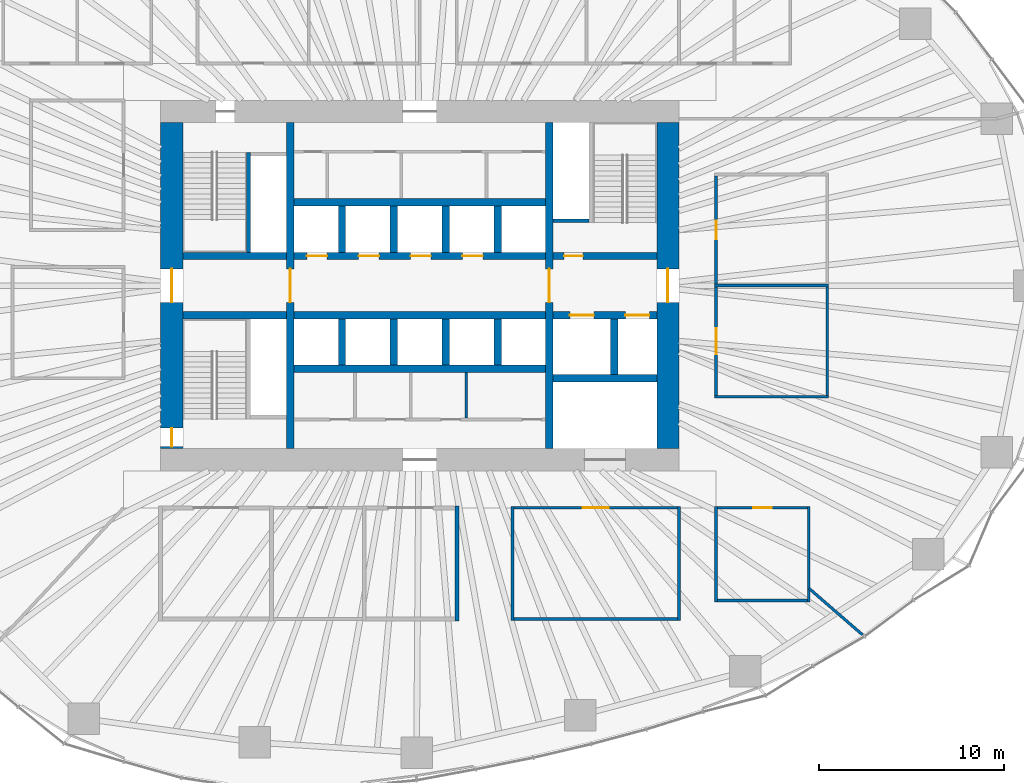
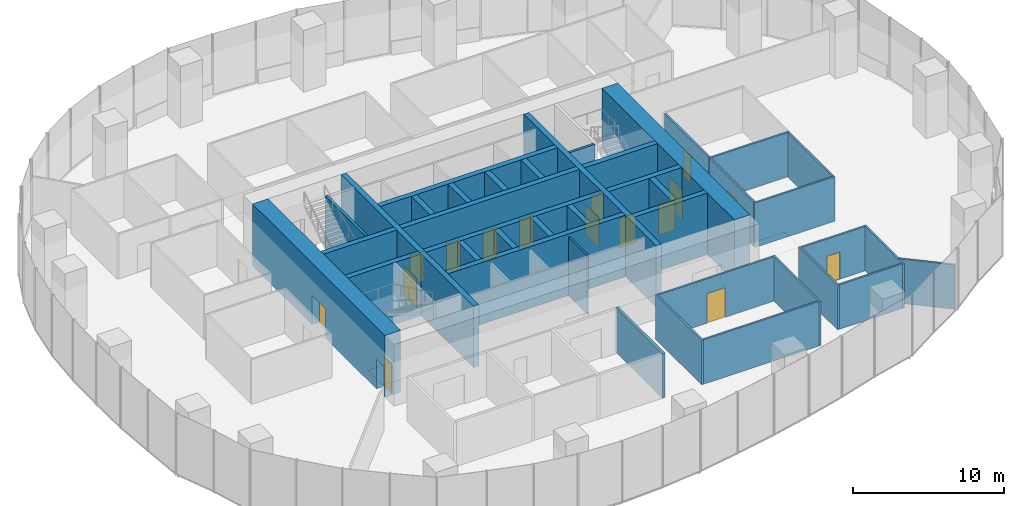
# One storey, part 10 of 19: 40 walls, 16 doors, 16 openings.
"""IFC4 building model written with IfcOpenShell, lengths in metres."""

from ifc_helpers import new_model, si_unit, direction, frame, frame_2d, origin, place, context, subcontext, project, spatial, rectangle, extrude, material, layer, layer_set, type_object, element, fill, save


model = new_model("IFC4")

# Units and contexts
model_context = context("Model", 3, precision=1e-05, world=origin(), true_north=direction((0.0, 1.0)))
body_context = subcontext(model_context, "Body", "Model", "MODEL_VIEW")
ifc_project = project(units=[si_unit("LENGTHUNIT", "METRE"), si_unit("AREAUNIT", "SQUARE_METRE"), si_unit("VOLUMEUNIT", "CUBIC_METRE"), si_unit("PLANEANGLEUNIT", "RADIAN"), si_unit("MASSUNIT", "GRAM", prefix="KILO")], contexts=[model_context])

# Site, building, storey
site_placement = place(None, origin())
site = spatial("IfcSite", under=ifc_project, at=site_placement, CompositionType="ELEMENT")
building_placement = place(site_placement, origin())
building = spatial("IfcBuilding", under=site, at=building_placement, Name="Ghaith Harvest Tower", CompositionType="ELEMENT")
storey_placement = place(building_placement, frame((0.0, 0.0, 75.0)))
storey = spatial("IfcBuildingStorey", under=building, at=storey_placement, Name="L15", CompositionType="ELEMENT", Elevation=75.0)

# Walls
ifc_material_1 = material(Name="Concrete blockwork, 1-hour", Category="masonry")
ifc_layer_1 = layer(ifc_material_1, 0.215087890625)
ifc_layer_set_1 = layer_set([ifc_layer_1], Name="BLOCKWORK WALL 215")
wall_type_1 = type_object("IfcWallType", Name="BLOCKWORK WALL 215", PredefinedType="PARTITIONING", material=ifc_layer_set_1)
wall_1_placement = place(storey_placement, frame((2.0, -11.892578125, 0.0), z_axis=(0.0, 0.0, 1.0), x_axis=(0.0, -1.0, 0.0)))
element("IfcWall", 1, at=wall_1_placement, inside=storey, type_object=wall_type_1, Name="Partition L15 row S2 cross wall 4", PredefinedType="PARTITIONING", context=body_context, shape_type="SweptSolid", body=[
    extrude(rectangle(XDim=6.21484375, YDim=0.215087890625, at=frame_2d((3.107421875, 0.0))), origin(), (0.0, 0.0, 1.0), 3.60009765625),
])
ifc_material_2 = material(Name="Concrete blockwork, fair-faced", Category="masonry")
ifc_layer_2 = layer(ifc_material_2, 0.139892578125)
ifc_layer_set_2 = layer_set([ifc_layer_2], Name="CORE PARTITION 140")
wall_type_2 = type_object("IfcWallType", Name="CORE PARTITION 140", PredefinedType="PARTITIONING", material=ifc_layer_set_2)
wall_2_placement = place(storey_placement, frame((2.5, -4.699951171875, 0.0), z_axis=(0.0, 0.0, 1.0), x_axis=(0.0, -1.0, 0.0)))
element("IfcWall", 2, at=wall_2_placement, inside=storey, type_object=wall_type_2, Name="Core partition L15", PredefinedType="PARTITIONING", context=body_context, shape_type="SweptSolid", body=[
    extrude(rectangle(XDim=2.4599609375, YDim=0.139892578125, at=frame_2d((1.22998046875, 0.0))), origin(), (0.0, 0.0, 1.0), 4.75),
])

# Wall, openings, doors
ifc_material_3 = material(Name="Concrete C70/85", Category="concrete")
ifc_layer_3 = layer(ifc_material_3, 1.199951171875)
ifc_layer_set_3 = layer_set([ifc_layer_3], Name="CORE WALL CW1200")
wall_type_3 = type_object("IfcWallType", Name="CORE WALL CW1200", PredefinedType="SHEAR", material=ifc_layer_set_3)
wall_3_placement = place(storey_placement, frame((-13.39990234375, 8.800048828125, 0.0), z_axis=(0.0, 0.0, 1.0), x_axis=(0.0, -1.0, 0.0)))
wall_3 = element("IfcWall", 3, at=wall_3_placement, inside=storey, type_object=wall_type_3, Name="Core wall W L15", PredefinedType="SHEAR", context=body_context, shape_type="SweptSolid", body=[
    extrude(rectangle(XDim=17.60009765625, YDim=1.199951171875, at=frame_2d((8.800048828125, 0.0))), origin(), (0.0, 0.0, 1.0), 5.0),
])
opening_1_placement = place(wall_3_placement, frame((7.89990234375, 0.0, 0.0)))
opening_1 = element("IfcOpeningElement", 4, at=opening_1_placement, cuts=wall_3, Name="Opening 15-001", PredefinedType="OPENING", context=body_context, shape_type="SweptSolid", body=[
    extrude(rectangle(XDim=1.800048828125, YDim=2.39990234375, at=frame_2d((0.89990234375, 1.199951171875))), frame((0.0, 0.60986328125, 0.0), z_axis=(0.0, -1.0, 0.0), x_axis=(1.0, 0.0, 0.0)), (0.0, 0.0, 1.0), 1.219970703125),
])
opening_2_placement = place(wall_3_placement, frame((16.5, 0.0, 0.0)))
opening_2 = element("IfcOpeningElement", 5, at=opening_2_placement, cuts=wall_3, Name="Opening 15-006", PredefinedType="OPENING", context=body_context, shape_type="SweptSolid", body=[
    extrude(rectangle(XDim=1.0, YDim=2.39990234375, at=frame_2d((0.5, 1.199951171875))), frame((0.0, 0.60986328125, 0.0), z_axis=(0.0, -1.0, 0.0), x_axis=(1.0, 0.0, 0.0)), (0.0, 0.0, 1.0), 1.219970703125),
])
ifc_material_4 = material(Name="Steel fire door", Category="steel")
door_type_1 = type_object("IfcDoorType", Name="D3 FD90 1000x2400", OperationType="SINGLE_SWING_LEFT", PredefinedType="DOOR", material=ifc_material_4)
door_1_placement = place(opening_2_placement, origin())
door_1 = element("IfcDoor", 6, at=door_1_placement, inside=storey, type_object=door_type_1, Name="Stair ST3 door", OperationType="SINGLE_SWING_RIGHT", OverallHeight=2.39990234375, OverallWidth=1.0, PredefinedType="DOOR", context=body_context, shape_type="SweptSolid", body=[
    extrude(rectangle(XDim=1.0, YDim=2.39990234375, at=frame_2d((0.5, 1.199951171875))), frame((0.0, 0.02490234375, 0.0), z_axis=(0.0, -1.0, 0.0), x_axis=(1.0, 0.0, 0.0)), (0.0, 0.0, 1.0), 0.050048828125),
])
fill(opening_2, door_1)
ifc_material_5 = material(Name="Steel fire door", Category="steel")
door_type_2 = type_object("IfcDoorType", Name="D4 FD90 PAIR 1800x2400", OperationType="DOUBLE_DOOR_SINGLE_SWING", PredefinedType="DOOR", material=ifc_material_5)
door_2_placement = place(opening_1_placement, origin())
door_2 = element("IfcDoor", 7, at=door_2_placement, inside=storey, type_object=door_type_2, Name="West lobby doors", OperationType="DOUBLE_DOOR_SINGLE_SWING", OverallHeight=2.39990234375, OverallWidth=1.800048828125, PredefinedType="DOOR", context=body_context, shape_type="SweptSolid", body=[
    extrude(rectangle(XDim=1.800048828125, YDim=2.39990234375, at=frame_2d((0.89990234375, 1.199951171875))), frame((0.0, 0.02490234375, 0.0), z_axis=(0.0, -1.0, 0.0), x_axis=(1.0, 0.0, 0.0)), (0.0, 0.0, 1.0), 0.050048828125),
])
fill(opening_1, door_2)

# Wall, opening, door
wall_4_placement = place(storey_placement, frame((13.39990234375, -8.800048828125, 0.0), z_axis=(0.0, 0.0, 1.0), x_axis=(0.0, 1.0, 0.0)))
wall_4 = element("IfcWall", 8, at=wall_4_placement, inside=storey, type_object=wall_type_3, Name="Core wall E L15", PredefinedType="SHEAR", context=body_context, shape_type="SweptSolid", body=[
    extrude(rectangle(XDim=17.60009765625, YDim=1.199951171875, at=frame_2d((8.800048828125, 0.0))), origin(), (0.0, 0.0, 1.0), 5.0),
])
opening_3_placement = place(wall_4_placement, frame((7.89990234375, 0.0, 0.0)))
opening_3 = element("IfcOpeningElement", 9, at=opening_3_placement, cuts=wall_4, Name="Opening 15-002", PredefinedType="OPENING", context=body_context, shape_type="SweptSolid", body=[
    extrude(rectangle(XDim=1.800048828125, YDim=2.39990234375, at=frame_2d((0.89990234375, 1.199951171875))), frame((0.0, 0.60986328125, 0.0), z_axis=(0.0, -1.0, 0.0), x_axis=(1.0, 0.0, 0.0)), (0.0, 0.0, 1.0), 1.219970703125),
])
door_3_placement = place(opening_3_placement, origin())
door_3 = element("IfcDoor", 10, at=door_3_placement, inside=storey, type_object=door_type_2, Name="Fire-fighting lobby doors", OperationType="DOUBLE_DOOR_SINGLE_SWING", OverallHeight=2.39990234375, OverallWidth=1.800048828125, PredefinedType="DOOR", context=body_context, shape_type="SweptSolid", body=[
    extrude(rectangle(XDim=1.800048828125, YDim=2.39990234375, at=frame_2d((0.89990234375, 1.199951171875))), frame((0.0, 0.02490234375, 0.0), z_axis=(0.0, -1.0, 0.0), x_axis=(1.0, 0.0, 0.0)), (0.0, 0.0, 1.0), 0.050048828125),
])
fill(opening_3, door_3)

# Walls
ifc_material_6 = material(Name="Gypsum board on steel studs", Category="steel")
ifc_layer_4 = layer(ifc_material_6, 0.14990234375)
ifc_layer_set_4 = layer_set([ifc_layer_4], Name="PARTITION 150")
wall_type_4 = type_object("IfcWallType", Name="PARTITION 150", PredefinedType="PARTITIONING", material=ifc_layer_set_4)
for number, where, z_axis, x_axis, name in (
    (11, (5.0, -11.925048828125, 0.0), (0.0, 0.0, 1.0), (0.0, -1.0, 0.0), "Partition L15 row S3 cross wall 1"),
    (12, (14.0, -11.925048828125, 0.0), (0.0, 0.0, 1.0), (0.0, -1.0, 0.0), "Partition L15 row S3 cross wall 2"),
):
    element("IfcWall", number, at=place(storey_placement, frame(where, z_axis=z_axis, x_axis=x_axis)), inside=storey, type_object=wall_type_4, Name=name, PredefinedType="PARTITIONING", context=body_context, shape_type="SweptSolid", body=[
        extrude(rectangle(XDim=6.14990234375, YDim=0.14990234375, at=frame_2d((3.074951171875, 0.0))), origin(), (0.0, 0.0, 1.0), 3.60009765625),
    ])

# Wall, opening, door
wall_5_placement = place(storey_placement, frame((5.074951171875, -12.0, 0.0), z_axis=(0.0, 0.0, 1.0), x_axis=(1.0, 0.0, 0.0)))
wall_5 = element("IfcWall", 13, at=wall_5_placement, inside=storey, type_object=wall_type_4, Name="Partition L15-06", PredefinedType="PARTITIONING", context=body_context, shape_type="SweptSolid", body=[
    extrude(rectangle(XDim=8.85009765625, YDim=0.14990234375, at=frame_2d((4.425048828125, 0.0))), origin(), (0.0, 0.0, 1.0), 3.60009765625),
])
opening_4_placement = place(wall_5_placement, frame((3.72509765625, 0.0, 0.0)))
opening_4 = element("IfcOpeningElement", 14, at=opening_4_placement, cuts=wall_5, Name="Opening 15-030", PredefinedType="OPENING", context=body_context, shape_type="SweptSolid", body=[
    extrude(rectangle(XDim=1.39990234375, YDim=2.39990234375, at=frame_2d((0.699951171875, 1.199951171875))), frame((0.0, 0.0849609375, 0.0), z_axis=(0.0, -1.0, 0.0), x_axis=(1.0, 0.0, 0.0)), (0.0, 0.0, 1.0), 0.169921875),
])
ifc_material_7 = material(Name="Stainless steel faced door pair", Category="steel")
door_type_3 = type_object("IfcDoorType", Name="D14 HYGIENE PAIR 1400x2400", OperationType="DOUBLE_DOOR_DOUBLE_SWING", PredefinedType="DOOR", material=ifc_material_7)
door_4_placement = place(opening_4_placement, origin())
door_4 = element("IfcDoor", 15, at=door_4_placement, inside=storey, type_object=door_type_3, Name="Harvest room door", OperationType="DOUBLE_DOOR_DOUBLE_SWING", OverallHeight=2.39990234375, OverallWidth=1.39990234375, PredefinedType="DOOR", context=body_context, shape_type="SweptSolid", body=[
    extrude(rectangle(XDim=1.39990234375, YDim=2.39990234375, at=frame_2d((0.699951171875, 1.199951171875))), frame((0.0, 0.02490234375, 0.0), z_axis=(0.0, -1.0, 0.0), x_axis=(1.0, 0.0, 0.0)), (0.0, 0.0, 1.0), 0.050048828125),
])
fill(opening_4, door_4)

# Walls
wall_6_placement = place(storey_placement, frame((5.074951171875, -18.0, 0.0), z_axis=(0.0, 0.0, 1.0), x_axis=(1.0, 0.0, 0.0)))
element("IfcWall", 16, at=wall_6_placement, inside=storey, type_object=wall_type_4, Name="Partition L15-06", PredefinedType="PARTITIONING", context=body_context, shape_type="SweptSolid", body=[
    extrude(rectangle(XDim=8.85009765625, YDim=0.14990234375, at=frame_2d((4.425048828125, 0.0))), origin(), (0.0, 0.0, 1.0), 3.60009765625),
])
for number, where, z_axis, x_axis, name in (
    (17, (15.925048828125, -6.0, 0.0), (0.0, 0.0, 1.0), (1.0, 0.0, 0.0), "Partition L15 row E5 cross wall 1"),
    (18, (15.925048828125, 0.0, 0.0), (0.0, 0.0, 1.0), (1.0, 0.0, 0.0), "Partition L15 row E5 cross wall 2"),
):
    element("IfcWall", number, at=place(storey_placement, frame(where, z_axis=z_axis, x_axis=x_axis)), inside=storey, type_object=wall_type_4, Name=name, PredefinedType="PARTITIONING", context=body_context, shape_type="SweptSolid", body=[
        extrude(rectangle(XDim=6.14990234375, YDim=0.14990234375, at=frame_2d((3.074951171875, 0.0))), origin(), (0.0, 0.0, 1.0), 3.60009765625),
    ])

# Wall, opening, door
wall_7_placement = place(storey_placement, frame((16.0, -5.925048828125, 0.0), z_axis=(0.0, 0.0, 1.0), x_axis=(0.0, 1.0, 0.0)))
wall_7 = element("IfcWall", 19, at=wall_7_placement, inside=storey, type_object=wall_type_4, Name="Partition L15-08", PredefinedType="PARTITIONING", context=body_context, shape_type="SweptSolid", body=[
    extrude(rectangle(XDim=5.85009765625, YDim=0.14990234375, at=frame_2d((2.925048828125, 0.0))), origin(), (0.0, 0.0, 1.0), 3.60009765625),
])
opening_5_placement = place(wall_7_placement, frame((2.22509765625, 0.0, 0.0)))
opening_5 = element("IfcOpeningElement", 20, at=opening_5_placement, cuts=wall_7, Name="Opening 15-032", PredefinedType="OPENING", context=body_context, shape_type="SweptSolid", body=[
    extrude(rectangle(XDim=1.39990234375, YDim=2.39990234375, at=frame_2d((0.699951171875, 1.199951171875))), frame((0.0, 0.0849609375, 0.0), z_axis=(0.0, -1.0, 0.0), x_axis=(1.0, 0.0, 0.0)), (0.0, 0.0, 1.0), 0.169921875),
])
door_5_placement = place(opening_5_placement, origin())
door_5 = element("IfcDoor", 21, at=door_5_placement, inside=storey, type_object=door_type_3, Name="Washing room door", OperationType="DOUBLE_DOOR_DOUBLE_SWING", OverallHeight=2.39990234375, OverallWidth=1.39990234375, PredefinedType="DOOR", context=body_context, shape_type="SweptSolid", body=[
    extrude(rectangle(XDim=1.39990234375, YDim=2.39990234375, at=frame_2d((0.699951171875, 1.199951171875))), frame((0.0, 0.02490234375, 0.0), z_axis=(0.0, -1.0, 0.0), x_axis=(1.0, 0.0, 0.0)), (0.0, 0.0, 1.0), 0.050048828125),
])
fill(opening_5, door_5)

# Wall
wall_8_placement = place(storey_placement, frame((22.0, -5.925048828125, 0.0), z_axis=(0.0, 0.0, 1.0), x_axis=(0.0, 1.0, 0.0)))
element("IfcWall", 22, at=wall_8_placement, inside=storey, type_object=wall_type_4, Name="Partition L15-08", PredefinedType="PARTITIONING", context=body_context, shape_type="SweptSolid", body=[
    extrude(rectangle(XDim=5.85009765625, YDim=0.14990234375, at=frame_2d((2.925048828125, 0.0))), origin(), (0.0, 0.0, 1.0), 3.60009765625),
])

# Wall, opening, door
wall_9_placement = place(storey_placement, frame((16.0, 0.074951171875, 0.0), z_axis=(0.0, 0.0, 1.0), x_axis=(0.0, 1.0, 0.0)))
wall_9 = element("IfcWall", 23, at=wall_9_placement, inside=storey, type_object=wall_type_4, Name="Partition L15-09", PredefinedType="PARTITIONING", context=body_context, shape_type="SweptSolid", body=[
    extrude(rectangle(XDim=5.85009765625, YDim=0.14990234375, at=frame_2d((2.925048828125, 0.0))), origin(), (0.0, 0.0, 1.0), 3.60009765625),
])
opening_6_placement = place(wall_9_placement, frame((2.425048828125, 0.0, 0.0)))
opening_6 = element("IfcOpeningElement", 24, at=opening_6_placement, cuts=wall_9, Name="Opening 15-033", PredefinedType="OPENING", context=body_context, shape_type="SweptSolid", body=[
    extrude(rectangle(XDim=1.0, YDim=2.199951171875, at=frame_2d((0.5, 1.10009765625))), frame((0.0, 0.0849609375, 0.0), z_axis=(0.0, -1.0, 0.0), x_axis=(1.0, 0.0, 0.0)), (0.0, 0.0, 1.0), 0.169921875),
])
ifc_material_8 = material(Name="Timber door", Category="wood")
door_type_4 = type_object("IfcDoorType", Name="D1 SINGLE 1000x2200", OperationType="SINGLE_SWING_LEFT", PredefinedType="DOOR", material=ifc_material_8)
door_6_placement = place(opening_6_placement, origin())
door_6 = element("IfcDoor", 25, at=door_6_placement, inside=storey, type_object=door_type_4, Name="Crate store door", OperationType="SINGLE_SWING_LEFT", OverallHeight=2.199951171875, OverallWidth=1.0, PredefinedType="DOOR", context=body_context, shape_type="SweptSolid", body=[
    extrude(rectangle(XDim=1.0, YDim=2.199951171875, at=frame_2d((0.5, 1.10009765625))), frame((0.0, 0.02490234375, 0.0), z_axis=(0.0, -1.0, 0.0), x_axis=(1.0, 0.0, 0.0)), (0.0, 0.0, 1.0), 0.050048828125),
])
fill(opening_6, door_6)

# Walls
for number, where, z_axis, x_axis, name in (
    (26, (16.0, -11.925048828125, 0.0), (0.0, 0.0, 1.0), (0.0, -1.0, 0.0), "Partition L15 row S8 cross wall 1"),
    (27, (21.0, -11.925048828125, 0.0), (0.0, 0.0, 1.0), (0.0, -1.0, 0.0), "Partition L15 row S8 cross wall 2"),
):
    element("IfcWall", number, at=place(storey_placement, frame(where, z_axis=z_axis, x_axis=x_axis)), inside=storey, type_object=wall_type_4, Name=name, PredefinedType="PARTITIONING", context=body_context, shape_type="SweptSolid", body=[
        extrude(rectangle(XDim=5.14990234375, YDim=0.14990234375, at=frame_2d((2.574951171875, 0.0))), origin(), (0.0, 0.0, 1.0), 3.60009765625),
    ])

# Wall, opening, door
wall_10_placement = place(storey_placement, frame((16.074951171875, -12.0, 0.0), z_axis=(0.0, 0.0, 1.0), x_axis=(1.0, 0.0, 0.0)))
wall_10 = element("IfcWall", 28, at=wall_10_placement, inside=storey, type_object=wall_type_4, Name="Partition L15-16", PredefinedType="PARTITIONING", context=body_context, shape_type="SweptSolid", body=[
    extrude(rectangle(XDim=4.85009765625, YDim=0.14990234375, at=frame_2d((2.425048828125, 0.0))), origin(), (0.0, 0.0, 1.0), 3.60009765625),
])
opening_7_placement = place(wall_10_placement, frame((1.925048828125, 0.0, 0.0)))
opening_7 = element("IfcOpeningElement", 29, at=opening_7_placement, cuts=wall_10, Name="Opening 15-040", PredefinedType="OPENING", context=body_context, shape_type="SweptSolid", body=[
    extrude(rectangle(XDim=1.0, YDim=2.199951171875, at=frame_2d((0.5, 1.10009765625))), frame((0.0, 0.0849609375, 0.0), z_axis=(0.0, -1.0, 0.0), x_axis=(1.0, 0.0, 0.0)), (0.0, 0.0, 1.0), 0.169921875),
])
door_7_placement = place(opening_7_placement, origin())
door_7 = element("IfcDoor", 30, at=door_7_placement, inside=storey, type_object=door_type_4, Name="Crate store door", OperationType="SINGLE_SWING_LEFT", OverallHeight=2.199951171875, OverallWidth=1.0, PredefinedType="DOOR", context=body_context, shape_type="SweptSolid", body=[
    extrude(rectangle(XDim=1.0, YDim=2.199951171875, at=frame_2d((0.5, 1.10009765625))), frame((0.0, 0.02490234375, 0.0), z_axis=(0.0, -1.0, 0.0), x_axis=(1.0, 0.0, 0.0)), (0.0, 0.0, 1.0), 0.050048828125),
])
fill(opening_7, door_7)

# Walls
wall_11_placement = place(storey_placement, frame((16.074951171875, -17.0, 0.0), z_axis=(0.0, 0.0, 1.0), x_axis=(1.0, 0.0, 0.0)))
element("IfcWall", 31, at=wall_11_placement, inside=storey, type_object=wall_type_4, Name="Partition L15-16", PredefinedType="PARTITIONING", context=body_context, shape_type="SweptSolid", body=[
    extrude(rectangle(XDim=4.85009765625, YDim=0.14990234375, at=frame_2d((2.425048828125, 0.0))), origin(), (0.0, 0.0, 1.0), 3.60009765625),
])
wall_12_placement = place(storey_placement, frame((21.02001953125, -16.35400390625, 0.0), z_axis=(0.0, 0.0, 1.0), x_axis=(0.755425653008, -0.655234372402, 0.0)))
element("IfcWall", 32, at=wall_12_placement, inside=storey, type_object=wall_type_4, Name="Partition L15 zone division", PredefinedType="PARTITIONING", context=body_context, shape_type="SweptSolid", body=[
    extrude(rectangle(XDim=3.8232421875, YDim=0.14990234375, at=frame_2d((1.91162109375, 0.0))), origin(), (0.0, 0.0, 1.0), 3.60009765625),
])

# Wall, opening, door
ifc_material_9 = material(Name="Concrete C70/85", Category="concrete")
ifc_layer_5 = layer(ifc_material_9, 0.39990234375)
ifc_layer_set_5 = layer_set([ifc_layer_5], Name="SHAFT WALL 400")
wall_type_5 = type_object("IfcWallType", Name="SHAFT WALL 400", PredefinedType="SHEAR", material=ifc_layer_set_5)
wall_13_placement = place(storey_placement, frame((-7.0, -8.800048828125, 0.0), z_axis=(0.0, 0.0, 1.0), x_axis=(0.0, 1.0, 0.0)))
wall_13 = element("IfcWall", 33, at=wall_13_placement, inside=storey, type_object=wall_type_5, Name="Shaft wall W7W L15", PredefinedType="SHEAR", context=body_context, shape_type="SweptSolid", body=[
    extrude(rectangle(XDim=17.60009765625, YDim=0.39990234375, at=frame_2d((8.800048828125, 0.0))), origin(), (0.0, 0.0, 1.0), 5.0),
])
opening_8_placement = place(wall_13_placement, frame((7.89990234375, 0.0, 0.0)))
opening_8 = element("IfcOpeningElement", 34, at=opening_8_placement, cuts=wall_13, Name="Opening 15-003", PredefinedType="OPENING", context=body_context, shape_type="SweptSolid", body=[
    extrude(rectangle(XDim=1.800048828125, YDim=2.39990234375, at=frame_2d((0.89990234375, 1.199951171875))), frame((0.0, 0.2099609375, 0.0), z_axis=(0.0, -1.0, 0.0), x_axis=(1.0, 0.0, 0.0)), (0.0, 0.0, 1.0), 0.419921875),
])
door_8_placement = place(opening_8_placement, origin())
door_8 = element("IfcDoor", 35, at=door_8_placement, inside=storey, type_object=door_type_2, Name="Lift lobby doors, west", OperationType="DOUBLE_DOOR_SINGLE_SWING", OverallHeight=2.39990234375, OverallWidth=1.800048828125, PredefinedType="DOOR", context=body_context, shape_type="SweptSolid", body=[
    extrude(rectangle(XDim=1.800048828125, YDim=2.39990234375, at=frame_2d((0.89990234375, 1.199951171875))), frame((0.0, 0.02490234375, 0.0), z_axis=(0.0, -1.0, 0.0), x_axis=(1.0, 0.0, 0.0)), (0.0, 0.0, 1.0), 0.050048828125),
])
fill(opening_8, door_8)

wall_14_placement = place(storey_placement, frame((7.0, -8.800048828125, 0.0), z_axis=(0.0, 0.0, 1.0), x_axis=(0.0, 1.0, 0.0)))
wall_14 = element("IfcWall", 36, at=wall_14_placement, inside=storey, type_object=wall_type_5, Name="Shaft wall W7E L15", PredefinedType="SHEAR", context=body_context, shape_type="SweptSolid", body=[
    extrude(rectangle(XDim=17.60009765625, YDim=0.39990234375, at=frame_2d((8.800048828125, 0.0))), origin(), (0.0, 0.0, 1.0), 5.0),
])
opening_9_placement = place(wall_14_placement, frame((7.89990234375, 0.0, 0.0)))
opening_9 = element("IfcOpeningElement", 37, at=opening_9_placement, cuts=wall_14, Name="Opening 15-004", PredefinedType="OPENING", context=body_context, shape_type="SweptSolid", body=[
    extrude(rectangle(XDim=1.800048828125, YDim=2.39990234375, at=frame_2d((0.89990234375, 1.199951171875))), frame((0.0, 0.2099609375, 0.0), z_axis=(0.0, -1.0, 0.0), x_axis=(1.0, 0.0, 0.0)), (0.0, 0.0, 1.0), 0.419921875),
])
door_9_placement = place(opening_9_placement, origin())
door_9 = element("IfcDoor", 38, at=door_9_placement, inside=storey, type_object=door_type_2, Name="Lift lobby doors, east", OperationType="DOUBLE_DOOR_SINGLE_SWING", OverallHeight=2.39990234375, OverallWidth=1.800048828125, PredefinedType="DOOR", context=body_context, shape_type="SweptSolid", body=[
    extrude(rectangle(XDim=1.800048828125, YDim=2.39990234375, at=frame_2d((0.89990234375, 1.199951171875))), frame((0.0, 0.02490234375, 0.0), z_axis=(0.0, -1.0, 0.0), x_axis=(1.0, 0.0, 0.0)), (0.0, 0.0, 1.0), 0.050048828125),
])
fill(opening_9, door_9)

# Wall, openings, doors
wall_15_placement = place(storey_placement, frame((-6.800048828125, 1.60009765625, 0.0), z_axis=(0.0, 0.0, 1.0), x_axis=(1.0, 0.0, 0.0)))
wall_15 = element("IfcWall", 39, at=wall_15_placement, inside=storey, type_object=wall_type_5, Name="Shaft wall LN L15", PredefinedType="SHEAR", context=body_context, shape_type="SweptSolid", body=[
    extrude(rectangle(XDim=13.60009765625, YDim=0.39990234375, at=frame_2d((6.800048828125, 0.0))), origin(), (0.0, 0.0, 1.0), 5.0),
])
opening_10_placement = place(wall_15_placement, frame((0.699951171875, 0.0, 0.0)))
opening_10 = element("IfcOpeningElement", 40, at=opening_10_placement, cuts=wall_15, Name="Opening 15-018", PredefinedType="OPENING", context=body_context, shape_type="SweptSolid", body=[
    extrude(rectangle(XDim=1.10009765625, YDim=2.39990234375, at=frame_2d((0.550048828125, 1.199951171875))), frame((0.0, 0.2099609375, 0.0), z_axis=(0.0, -1.0, 0.0), x_axis=(1.0, 0.0, 0.0)), (0.0, 0.0, 1.0), 0.419921875),
])
opening_11_placement = place(wall_15_placement, frame((3.5, 0.0, 0.0)))
opening_11 = element("IfcOpeningElement", 41, at=opening_11_placement, cuts=wall_15, Name="Opening 15-019", PredefinedType="OPENING", context=body_context, shape_type="SweptSolid", body=[
    extrude(rectangle(XDim=1.10009765625, YDim=2.39990234375, at=frame_2d((0.550048828125, 1.199951171875))), frame((0.0, 0.2099609375, 0.0), z_axis=(0.0, -1.0, 0.0), x_axis=(1.0, 0.0, 0.0)), (0.0, 0.0, 1.0), 0.419921875),
])
opening_12_placement = place(wall_15_placement, frame((6.300048828125, 0.0, 0.0)))
opening_12 = element("IfcOpeningElement", 42, at=opening_12_placement, cuts=wall_15, Name="Opening 15-020", PredefinedType="OPENING", context=body_context, shape_type="SweptSolid", body=[
    extrude(rectangle(XDim=1.10009765625, YDim=2.39990234375, at=frame_2d((0.550048828125, 1.199951171875))), frame((0.0, 0.2099609375, 0.0), z_axis=(0.0, -1.0, 0.0), x_axis=(1.0, 0.0, 0.0)), (0.0, 0.0, 1.0), 0.419921875),
])
opening_13_placement = place(wall_15_placement, frame((9.10009765625, 0.0, 0.0)))
opening_13 = element("IfcOpeningElement", 43, at=opening_13_placement, cuts=wall_15, Name="Opening 15-021", PredefinedType="OPENING", context=body_context, shape_type="SweptSolid", body=[
    extrude(rectangle(XDim=1.10009765625, YDim=2.39990234375, at=frame_2d((0.550048828125, 1.199951171875))), frame((0.0, 0.2099609375, 0.0), z_axis=(0.0, -1.0, 0.0), x_axis=(1.0, 0.0, 0.0)), (0.0, 0.0, 1.0), 0.419921875),
])
ifc_material_10 = material(Name="Steel fire door", Category="steel")
door_type_5 = type_object("IfcDoorType", Name="LD1 LANDING 1100x2400", OperationType="DOUBLE_DOOR_SLIDING", PredefinedType="DOOR", material=ifc_material_10)
door_10_placement = place(opening_10_placement, origin())
door_10 = element("IfcDoor", 44, at=door_10_placement, inside=storey, type_object=door_type_5, Name="Landing door, lift FA1", OperationType="DOUBLE_DOOR_SLIDING", OverallHeight=2.39990234375, OverallWidth=1.10009765625, PredefinedType="DOOR", context=body_context, shape_type="SweptSolid", body=[
    extrude(rectangle(XDim=1.10009765625, YDim=2.39990234375, at=frame_2d((0.550048828125, 1.199951171875))), frame((0.0, 0.02490234375, 0.0), z_axis=(0.0, -1.0, 0.0), x_axis=(1.0, 0.0, 0.0)), (0.0, 0.0, 1.0), 0.050048828125),
])
fill(opening_10, door_10)
door_11_placement = place(opening_11_placement, origin())
door_11 = element("IfcDoor", 45, at=door_11_placement, inside=storey, type_object=door_type_5, Name="Landing door, lift FA2", OperationType="DOUBLE_DOOR_SLIDING", OverallHeight=2.39990234375, OverallWidth=1.10009765625, PredefinedType="DOOR", context=body_context, shape_type="SweptSolid", body=[
    extrude(rectangle(XDim=1.10009765625, YDim=2.39990234375, at=frame_2d((0.550048828125, 1.199951171875))), frame((0.0, 0.02490234375, 0.0), z_axis=(0.0, -1.0, 0.0), x_axis=(1.0, 0.0, 0.0)), (0.0, 0.0, 1.0), 0.050048828125),
])
fill(opening_11, door_11)
door_12_placement = place(opening_12_placement, origin())
door_12 = element("IfcDoor", 46, at=door_12_placement, inside=storey, type_object=door_type_5, Name="Landing door, lift FA3", OperationType="DOUBLE_DOOR_SLIDING", OverallHeight=2.39990234375, OverallWidth=1.10009765625, PredefinedType="DOOR", context=body_context, shape_type="SweptSolid", body=[
    extrude(rectangle(XDim=1.10009765625, YDim=2.39990234375, at=frame_2d((0.550048828125, 1.199951171875))), frame((0.0, 0.02490234375, 0.0), z_axis=(0.0, -1.0, 0.0), x_axis=(1.0, 0.0, 0.0)), (0.0, 0.0, 1.0), 0.050048828125),
])
fill(opening_12, door_12)
door_13_placement = place(opening_13_placement, origin())
door_13 = element("IfcDoor", 47, at=door_13_placement, inside=storey, type_object=door_type_5, Name="Landing door, lift FA4", OperationType="DOUBLE_DOOR_SLIDING", OverallHeight=2.39990234375, OverallWidth=1.10009765625, PredefinedType="DOOR", context=body_context, shape_type="SweptSolid", body=[
    extrude(rectangle(XDim=1.10009765625, YDim=2.39990234375, at=frame_2d((0.550048828125, 1.199951171875))), frame((0.0, 0.02490234375, 0.0), z_axis=(0.0, -1.0, 0.0), x_axis=(1.0, 0.0, 0.0)), (0.0, 0.0, 1.0), 0.050048828125),
])
fill(opening_13, door_13)

# Walls
for number, where, z_axis, x_axis, name in (
    (48, (-6.800048828125, -1.60009765625, 0.0), (0.0, 0.0, 1.0), (1.0, 0.0, 0.0), "Shaft wall LS L15"),
    (49, (-6.800048828125, 4.5, 0.0), (0.0, 0.0, 1.0), (1.0, 0.0, 0.0), "Shaft wall BN L15"),
    (50, (-6.800048828125, -4.5, 0.0), (0.0, 0.0, 1.0), (1.0, 0.0, 0.0), "Shaft wall BS L15"),
):
    element("IfcWall", number, at=place(storey_placement, frame(where, z_axis=z_axis, x_axis=x_axis)), inside=storey, type_object=wall_type_5, Name=name, PredefinedType="SHEAR", context=body_context, shape_type="SweptSolid", body=[
        extrude(rectangle(XDim=13.60009765625, YDim=0.39990234375, at=frame_2d((6.800048828125, 0.0))), origin(), (0.0, 0.0, 1.0), 5.0),
    ])
for number, where, z_axis, x_axis, name in (
    (51, (-12.800048828125, 1.60009765625, 0.0), (0.0, 0.0, 1.0), (1.0, 0.0, 0.0), "Shaft wall WN L15"),
    (52, (-12.800048828125, -1.60009765625, 0.0), (0.0, 0.0, 1.0), (1.0, 0.0, 0.0), "Shaft wall WS L15"),
):
    element("IfcWall", number, at=place(storey_placement, frame(where, z_axis=z_axis, x_axis=x_axis)), inside=storey, type_object=wall_type_5, Name=name, PredefinedType="SHEAR", context=body_context, shape_type="SweptSolid", body=[
        extrude(rectangle(XDim=5.60009765625, YDim=0.39990234375, at=frame_2d((2.800048828125, 0.0))), origin(), (0.0, 0.0, 1.0), 5.0),
    ])

# Wall, opening, door
wall_16_placement = place(storey_placement, frame((7.199951171875, 1.60009765625, 0.0), z_axis=(0.0, 0.0, 1.0), x_axis=(1.0, 0.0, 0.0)))
wall_16 = element("IfcWall", 53, at=wall_16_placement, inside=storey, type_object=wall_type_5, Name="Shaft wall EN L15", PredefinedType="SHEAR", context=body_context, shape_type="SweptSolid", body=[
    extrude(rectangle(XDim=5.60009765625, YDim=0.39990234375, at=frame_2d((2.800048828125, 0.0))), origin(), (0.0, 0.0, 1.0), 5.0),
])
opening_14_placement = place(wall_16_placement, frame((0.60009765625, 0.0, 0.0)))
opening_14 = element("IfcOpeningElement", 54, at=opening_14_placement, cuts=wall_16, Name="Opening 15-007", PredefinedType="OPENING", context=body_context, shape_type="SweptSolid", body=[
    extrude(rectangle(XDim=1.0, YDim=2.39990234375, at=frame_2d((0.5, 1.199951171875))), frame((0.0, 0.2099609375, 0.0), z_axis=(0.0, -1.0, 0.0), x_axis=(1.0, 0.0, 0.0)), (0.0, 0.0, 1.0), 0.419921875),
])
door_14_placement = place(opening_14_placement, origin())
door_14 = element("IfcDoor", 55, at=door_14_placement, inside=storey, type_object=door_type_1, Name="Stair ST2 door", OperationType="SINGLE_SWING_LEFT", OverallHeight=2.39990234375, OverallWidth=1.0, PredefinedType="DOOR", context=body_context, shape_type="SweptSolid", body=[
    extrude(rectangle(XDim=1.0, YDim=2.39990234375, at=frame_2d((0.5, 1.199951171875))), frame((0.0, 0.02490234375, 0.0), z_axis=(0.0, -1.0, 0.0), x_axis=(1.0, 0.0, 0.0)), (0.0, 0.0, 1.0), 0.050048828125),
])
fill(opening_14, door_14)

# Wall, openings, doors
wall_17_placement = place(storey_placement, frame((7.199951171875, -1.60009765625, 0.0), z_axis=(0.0, 0.0, 1.0), x_axis=(1.0, 0.0, 0.0)))
wall_17 = element("IfcWall", 56, at=wall_17_placement, inside=storey, type_object=wall_type_5, Name="Shaft wall ES L15", PredefinedType="SHEAR", context=body_context, shape_type="SweptSolid", body=[
    extrude(rectangle(XDim=5.60009765625, YDim=0.39990234375, at=frame_2d((2.800048828125, 0.0))), origin(), (0.0, 0.0, 1.0), 5.0),
])
opening_15_placement = place(wall_17_placement, frame((0.89990234375, 0.0, 0.0)))
opening_15 = element("IfcOpeningElement", 57, at=opening_15_placement, cuts=wall_17, Name="Opening 15-022", PredefinedType="OPENING", context=body_context, shape_type="SweptSolid", body=[
    extrude(rectangle(XDim=1.300048828125, YDim=2.39990234375, at=frame_2d((0.64990234375, 1.199951171875))), frame((0.0, 0.2099609375, 0.0), z_axis=(0.0, -1.0, 0.0), x_axis=(1.0, 0.0, 0.0)), (0.0, 0.0, 1.0), 0.419921875),
])
opening_16_placement = place(wall_17_placement, frame((3.89990234375, 0.0, 0.0)))
opening_16 = element("IfcOpeningElement", 58, at=opening_16_placement, cuts=wall_17, Name="Opening 15-023", PredefinedType="OPENING", context=body_context, shape_type="SweptSolid", body=[
    extrude(rectangle(XDim=1.300048828125, YDim=2.39990234375, at=frame_2d((0.64990234375, 1.199951171875))), frame((0.0, 0.2099609375, 0.0), z_axis=(0.0, -1.0, 0.0), x_axis=(1.0, 0.0, 0.0)), (0.0, 0.0, 1.0), 0.419921875),
])
ifc_material_11 = material(Name="Steel fire door", Category="steel")
door_type_6 = type_object("IfcDoorType", Name="LD2 LANDING 1300x2400", OperationType="DOUBLE_DOOR_SLIDING", PredefinedType="DOOR", material=ifc_material_11)
door_15_placement = place(opening_15_placement, origin())
door_15 = element("IfcDoor", 59, at=door_15_placement, inside=storey, type_object=door_type_6, Name="Landing door, fire service lift FL1", OperationType="DOUBLE_DOOR_SLIDING", OverallHeight=2.39990234375, OverallWidth=1.300048828125, PredefinedType="DOOR", context=body_context, shape_type="SweptSolid", body=[
    extrude(rectangle(XDim=1.300048828125, YDim=2.39990234375, at=frame_2d((0.64990234375, 1.199951171875))), frame((0.0, 0.02490234375, 0.0), z_axis=(0.0, -1.0, 0.0), x_axis=(1.0, 0.0, 0.0)), (0.0, 0.0, 1.0), 0.050048828125),
])
fill(opening_15, door_15)
door_16_placement = place(opening_16_placement, origin())
door_16 = element("IfcDoor", 60, at=door_16_placement, inside=storey, type_object=door_type_6, Name="Landing door, fire service lift FL2", OperationType="DOUBLE_DOOR_SLIDING", OverallHeight=2.39990234375, OverallWidth=1.300048828125, PredefinedType="DOOR", context=body_context, shape_type="SweptSolid", body=[
    extrude(rectangle(XDim=1.300048828125, YDim=2.39990234375, at=frame_2d((0.64990234375, 1.199951171875))), frame((0.0, 0.02490234375, 0.0), z_axis=(0.0, -1.0, 0.0), x_axis=(1.0, 0.0, 0.0)), (0.0, 0.0, 1.0), 0.050048828125),
])
fill(opening_16, door_16)

# Walls
wall_18_placement = place(storey_placement, frame((10.5, -4.800048828125, 0.0), z_axis=(0.0, 0.0, 1.0), x_axis=(0.0, 1.0, 0.0)))
element("IfcWall", 61, at=wall_18_placement, inside=storey, type_object=wall_type_5, Name="Shaft wall FLD L15", PredefinedType="SHEAR", context=body_context, shape_type="SweptSolid", body=[
    extrude(rectangle(XDim=3.0, YDim=0.39990234375, at=frame_2d((1.5, 0.0))), origin(), (0.0, 0.0, 1.0), 5.0),
])
wall_19_placement = place(storey_placement, frame((7.199951171875, -5.0, 0.0), z_axis=(0.0, 0.0, 1.0), x_axis=(1.0, 0.0, 0.0)))
element("IfcWall", 62, at=wall_19_placement, inside=storey, type_object=wall_type_5, Name="Shaft wall FLB L15", PredefinedType="SHEAR", context=body_context, shape_type="SweptSolid", body=[
    extrude(rectangle(XDim=5.60009765625, YDim=0.39990234375, at=frame_2d((2.800048828125, 0.0))), origin(), (0.0, 0.0, 1.0), 5.0),
])
for number, where, z_axis, x_axis, name in (
    (63, (-4.199951171875, 1.800048828125, 0.0), (0.0, 0.0, 1.0), (0.0, 1.0, 0.0), "Shaft wall DN1 L15"),
    (64, (-4.199951171875, -4.300048828125, 0.0), (0.0, 0.0, 1.0), (0.0, 1.0, 0.0), "Shaft wall DS1 L15"),
    (65, (-1.39990234375, 1.800048828125, 0.0), (0.0, 0.0, 1.0), (0.0, 1.0, 0.0), "Shaft wall DN2 L15"),
    (66, (-1.39990234375, -4.300048828125, 0.0), (0.0, 0.0, 1.0), (0.0, 1.0, 0.0), "Shaft wall DS2 L15"),
    (67, (1.39990234375, 1.800048828125, 0.0), (0.0, 0.0, 1.0), (0.0, 1.0, 0.0), "Shaft wall DN3 L15"),
    (68, (1.39990234375, -4.300048828125, 0.0), (0.0, 0.0, 1.0), (0.0, 1.0, 0.0), "Shaft wall DS3 L15"),
    (69, (4.199951171875, 1.800048828125, 0.0), (0.0, 0.0, 1.0), (0.0, 1.0, 0.0), "Shaft wall DN4 L15"),
    (70, (4.199951171875, -4.300048828125, 0.0), (0.0, 0.0, 1.0), (0.0, 1.0, 0.0), "Shaft wall DS4 L15"),
):
    element("IfcWall", number, at=place(storey_placement, frame(where, z_axis=z_axis, x_axis=x_axis)), inside=storey, type_object=wall_type_5, Name=name, PredefinedType="SHEAR", context=body_context, shape_type="SweptSolid", body=[
        extrude(rectangle(XDim=2.5, YDim=0.39990234375, at=frame_2d((1.25, 0.0))), origin(), (0.0, 0.0, 1.0), 5.0),
    ])
ifc_material_12 = material(Name="Concrete C40/50", Category="concrete")
ifc_layer_6 = layer(ifc_material_12, 0.199951171875)
ifc_layer_set_6 = layer_set([ifc_layer_6], Name="STAIR SPINE WALL RC200")
wall_type_6 = type_object("IfcWallType", Name="STAIR SPINE WALL RC200", PredefinedType="SOLIDWALL", material=ifc_layer_set_6)
wall_20_placement = place(storey_placement, frame((-9.25, 7.199951171875, 0.0), z_axis=(0.0, 0.0, 1.0), x_axis=(0.0, -1.0, 0.0)))
element("IfcWall", 71, at=wall_20_placement, inside=storey, type_object=wall_type_6, Name="Stair ST1 spine wall L15", PredefinedType="SOLIDWALL", context=body_context, shape_type="SweptSolid", body=[
    extrude(rectangle(XDim=5.39990234375, YDim=0.199951171875, at=frame_2d((2.699951171875, 0.0))), origin(), (0.0, 0.0, 1.0), 5.0),
])
wall_21_placement = place(storey_placement, frame((9.14990234375, 3.5, 0.0), z_axis=(0.0, 0.0, 1.0), x_axis=(-1.0, 0.0, 0.0)))
element("IfcWall", 72, at=wall_21_placement, inside=storey, type_object=wall_type_6, Name="Stair ST2 spine wall return L15", PredefinedType="SOLIDWALL", context=body_context, shape_type="SweptSolid", body=[
    extrude(rectangle(XDim=1.949951171875, YDim=0.199951171875, at=frame_2d((0.97509765625, 0.0))), origin(), (0.0, 0.0, 1.0), 5.0),
])

save(model, "model.ifc")
